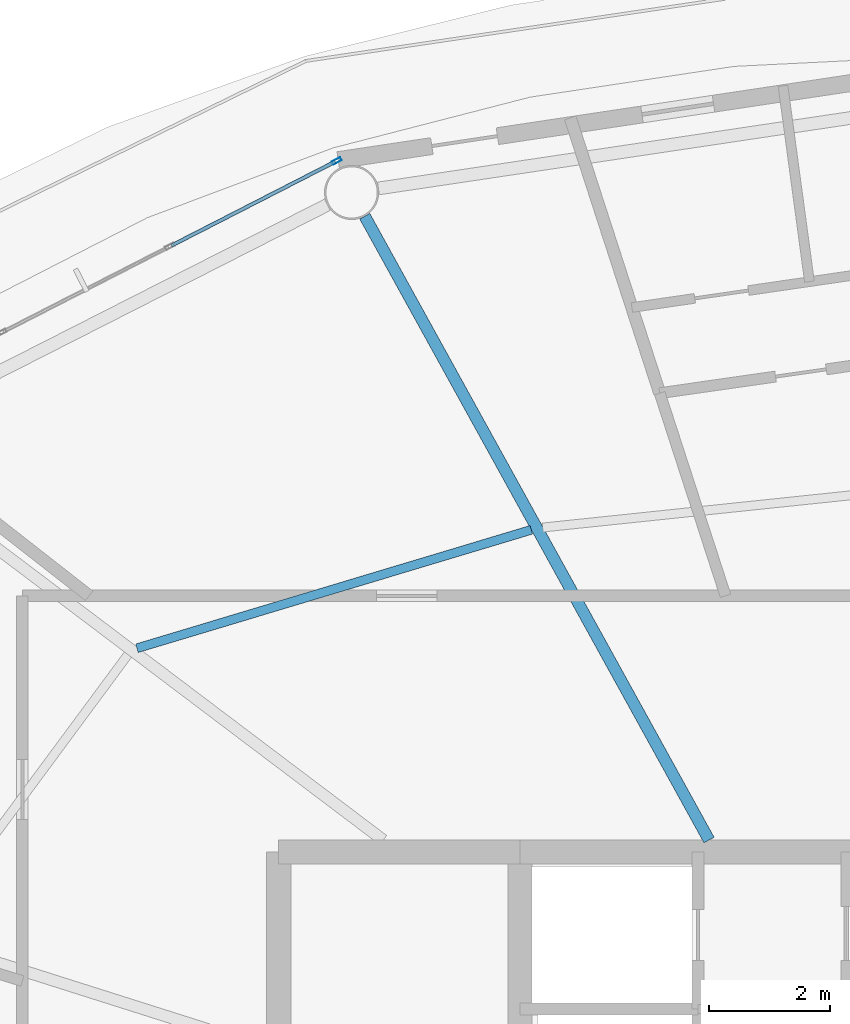
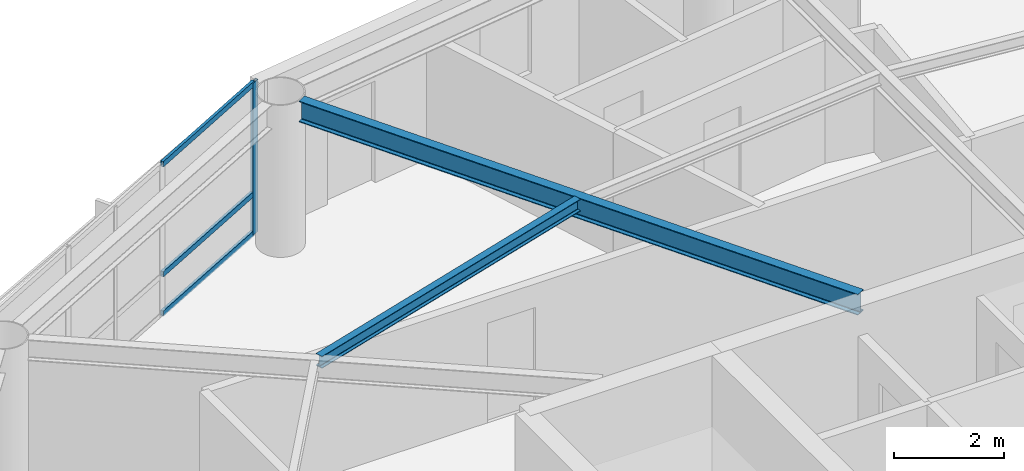
# One storey, part 9 of 23: 4 members, 2 beams, 1 element without a shape of its own.
"""IFC4 building model written with IfcOpenShell, lengths in metres."""

from ifc_helpers import new_model, si_unit, direction, frame, origin, origin_2d, place, context, subcontext, project, spatial, hollow_rectangle, i_section, extrude, material, layer, layer_set, material_profile, profile_set, type_object, element, aggregate, save


model = new_model("IFC4")

# Units and contexts
model_context = context("Model", 3, precision=1e-05, world=origin(), true_north=direction((0.0, 1.0)))
body_context = subcontext(model_context, "Body", "Model", "MODEL_VIEW")
ifc_project = project(units=[si_unit("LENGTHUNIT", "METRE"), si_unit("AREAUNIT", "SQUARE_METRE"), si_unit("VOLUMEUNIT", "CUBIC_METRE"), si_unit("PLANEANGLEUNIT", "RADIAN"), si_unit("MASSUNIT", "GRAM", prefix="KILO")], contexts=[model_context])

# Site, building, storey
site_placement = place(None, origin())
site = spatial("IfcSite", under=ifc_project, at=site_placement, CompositionType="ELEMENT")
building_placement = place(site_placement, origin())
building = spatial("IfcBuilding", under=site, at=building_placement, Name="Sarneth Arch Tower", CompositionType="ELEMENT")
storey_placement = place(building_placement, frame((0.0, 0.0, 224.39990234375)))
storey = spatial("IfcBuildingStorey", under=building, at=storey_placement, Name="L57", CompositionType="ELEMENT", Elevation=224.39990234375)

# Beams
ifc_material_1 = material(Name="Steel S355", Category="steel")
ifc_material_profile_1 = material_profile(ifc_material_1, i_section(OverallWidth=0.14794921875, OverallDepth=0.26611328125, WebThickness=0.007568359375, FlangeThickness=0.012939453125, FilletRadius=0.012939453125, at=origin_2d()), Name="W250x44.8")
ifc_profile_set_1 = profile_set([ifc_material_profile_1], Name="Steel S355")
beam_type_1 = type_object("IfcBeamType", Name="BM-JOIST-250", PredefinedType="JOIST", material=ifc_profile_set_1)
beam_1_placement = place(storey_placement, frame((41.189453125, 54.14453125, 3.22705078125), z_axis=(-0.957725851155, -0.287682453461, 0.0), x_axis=(0.287682453461, -0.957725851155, 0.0)))
element("IfcBeam", 1, at=beam_1_placement, inside=storey, type_object=beam_type_1, Name="L57 Secondary floor joist 06", PredefinedType="JOIST", context=body_context, shape_type="SweptSolid", body=[
    extrude(i_section(OverallWidth=0.14794921875, OverallDepth=0.26611328125, WebThickness=0.007568359375, FlangeThickness=0.012939453125, FilletRadius=0.012939453125, at=origin_2d()), origin(), (0.0, 0.0, 1.0), 6.828125),
])
ifc_material_2 = material(Name="Steel S355", Category="steel")
ifc_material_profile_2 = material_profile(ifc_material_2, i_section(OverallWidth=0.19189453125, OverallDepth=0.462890625, WebThickness=0.010498046875, FlangeThickness=0.017578125, FilletRadius=0.01806640625, at=origin_2d()), Name="W460x89")
ifc_profile_set_2 = profile_set([ifc_material_profile_2], Name="Steel S355")
beam_type_2 = type_object("IfcBeamType", Name="BM-RAD-460B", PredefinedType="BEAM", material=ifc_profile_set_2)
beam_2_placement = place(storey_placement, frame((44.13623046875, 49.0, 3.128662109375), z_axis=(-0.483218265038, 0.875499919094, 0.0), x_axis=(-0.875499919094, -0.483218265038, 0.0)))
element("IfcBeam", 2, at=beam_2_placement, inside=storey, type_object=beam_type_2, Name="L57 Radial floor girder 06", PredefinedType="BEAM", context=body_context, shape_type="SweptSolid", body=[
    extrude(i_section(OverallWidth=0.19189453125, OverallDepth=0.462890625, WebThickness=0.010498046875, FlangeThickness=0.017578125, FilletRadius=0.01806640625, at=origin_2d()), origin(), (0.0, 0.0, 1.0), 11.8154296875),
])

# Curtain wall, members
ifc_material_3 = material(Name="Anodised aluminium Type AA25 and solar-control low-e laminated IGU", Category="aluminium")
ifc_layer = layer(ifc_material_3, 0.179931640625)
ifc_layer_set = layer_set([ifc_layer], Name="Anodised aluminium Type AA25 and solar-control low-e laminated IGU")
curtain_wall_type = type_object("IfcCurtainWallType", Name="CW-RES-HIGH", PredefinedType="NOTDEFINED", material=ifc_layer_set)
curtain_wall_placement = place(storey_placement, origin())
curtain_wall = element("IfcCurtainWall", 3, at=curtain_wall_placement, inside=storey, type_object=curtain_wall_type, Name="L57 Unitised curtain wall facet 06", PredefinedType="NOTDEFINED")
ifc_material_4 = material(Name="Anodised Aluminium 6063-T6", Category="aluminium")
ifc_material_profile_3 = material_profile(ifc_material_4, hollow_rectangle(XDim=0.06005859375, YDim=0.159912109375, WallThickness=0.00390625, at=origin_2d()), Name="AL-MULL-160x60x4")
ifc_profile_set_3 = profile_set([ifc_material_profile_3], Name="Anodised Aluminium 6063-T6")
member_type_1 = type_object("IfcMemberType", Name="CW-MULLION", PredefinedType="MULLION", material=ifc_profile_set_3)
member_1_placement = place(storey_placement, frame((37.960693359375, 60.2607421875, 0.0), z_axis=(0.0, 0.0, 1.0), x_axis=(0.455941901753, -0.890009540525, 0.0)))
member_1 = element("IfcMember", 4, at=member_1_placement, type_object=member_type_1, Name="CW-SYS-6 mullion 1", PredefinedType="MULLION", context=body_context, shape_type="SweptSolid", body=[
    extrude(hollow_rectangle(XDim=0.06005859375, YDim=0.159912109375, WallThickness=0.00390625, at=origin_2d()), origin(), (0.0, 0.0, 1.0), 3.360107421875),
])
ifc_material_5 = material(Name="Anodised Aluminium 6063-T6", Category="aluminium")
ifc_material_profile_4 = material_profile(ifc_material_5, hollow_rectangle(XDim=0.06005859375, YDim=0.1201171875, WallThickness=0.00390625, at=origin_2d()), Name="AL-TRAN-120x60x4")
ifc_profile_set_4 = profile_set([ifc_material_profile_4], Name="Anodised Aluminium 6063-T6")
member_type_2 = type_object("IfcMemberType", Name="CW-TRANSOM", PredefinedType="USERDEFINED", material=ifc_profile_set_4)
member_2_placement = place(storey_placement, frame((37.933837890625, 60.2470703125, 0.030029296875), z_axis=(-0.889973523166, -0.456012201662, 0.0), x_axis=(0.456012201662, -0.889973523166, 0.0)))
member_2 = element("IfcMember", 5, at=member_2_placement, type_object=member_type_2, Name="CW-SYS-6 transom 1.1", ObjectType="TRANSOM", PredefinedType="USERDEFINED", context=body_context, shape_type="SweptSolid", body=[
    extrude(hollow_rectangle(XDim=0.06005859375, YDim=0.1201171875, WallThickness=0.00390625, at=origin_2d()), origin(), (0.0, 0.0, 1.0), 3.044677734375),
])
member_3_placement = place(storey_placement, frame((37.933837890625, 60.2470703125, 0.900146484375), z_axis=(-0.889973523166, -0.456012201662, 0.0), x_axis=(0.456012201662, -0.889973523166, 0.0)))
member_3 = element("IfcMember", 6, at=member_3_placement, type_object=member_type_2, Name="CW-SYS-6 transom 1.2", ObjectType="TRANSOM", PredefinedType="USERDEFINED", context=body_context, shape_type="SweptSolid", body=[
    extrude(hollow_rectangle(XDim=0.06005859375, YDim=0.1201171875, WallThickness=0.00390625, at=origin_2d()), origin(), (0.0, 0.0, 1.0), 3.044677734375),
])
member_4_placement = place(storey_placement, frame((37.933837890625, 60.2470703125, 3.330078125), z_axis=(-0.889973523166, -0.456012201662, 0.0), x_axis=(0.456012201662, -0.889973523166, 0.0)))
member_4 = element("IfcMember", 7, at=member_4_placement, type_object=member_type_2, Name="CW-SYS-6 transom 1.3", ObjectType="TRANSOM", PredefinedType="USERDEFINED", context=body_context, shape_type="SweptSolid", body=[
    extrude(hollow_rectangle(XDim=0.06005859375, YDim=0.1201171875, WallThickness=0.00390625, at=origin_2d()), origin(), (0.0, 0.0, 1.0), 3.044677734375),
])
aggregate(curtain_wall, [member_1, member_2, member_3, member_4])

save(model, "model.ifc")
